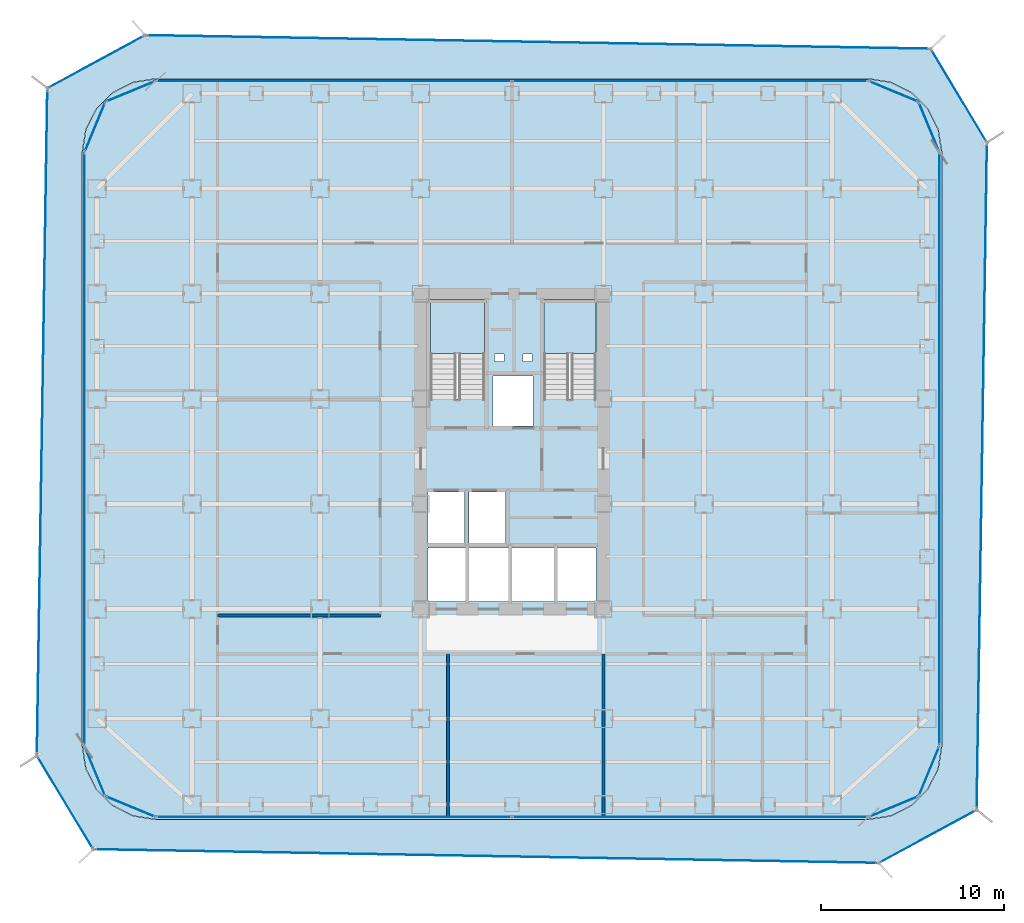
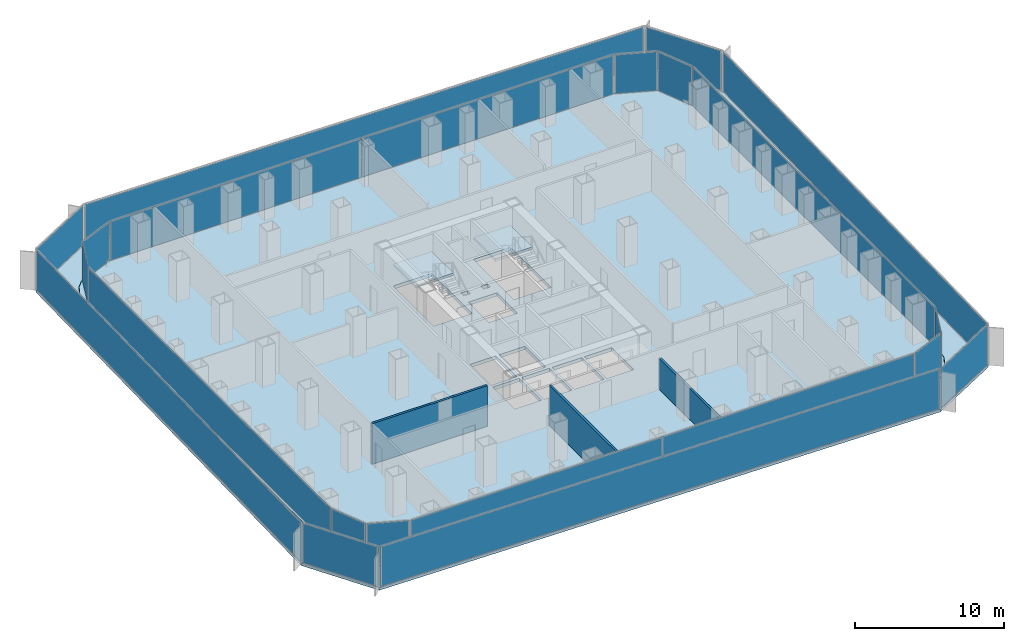
# One storey, part 16 of 21: 22 plates, 4 slabs, 3 walls, 22 elements without a shape of their own.
"""IFC4 building model written with IfcOpenShell, lengths in metres."""

from ifc_helpers import new_model, si_unit, direction, frame, frame_2d, origin, origin_2d, place, context, subcontext, project, spatial, polyline, rectangle, outline, extrude, source, transform, mapped, material, layer, layer_set, type_object, element, aggregate, save


model = new_model("IFC4")

# Units and contexts
model_context = context("Model", 3, precision=1e-05, world=origin(), true_north=direction((0.0, 1.0)))
body_context = subcontext(model_context, "Body", "Model", "MODEL_VIEW")
ifc_project = project(units=[si_unit("LENGTHUNIT", "METRE"), si_unit("AREAUNIT", "SQUARE_METRE"), si_unit("VOLUMEUNIT", "CUBIC_METRE"), si_unit("PLANEANGLEUNIT", "RADIAN"), si_unit("MASSUNIT", "GRAM", prefix="KILO")], contexts=[model_context])

# Site, building, storey
site_placement = place(None, origin())
site = spatial("IfcSite", under=ifc_project, at=site_placement, CompositionType="ELEMENT")
building_placement = place(site_placement, origin())
building = spatial("IfcBuilding", under=site, at=building_placement, Name="Kolveth Station Tower", CompositionType="ELEMENT")
storey_placement = place(building_placement, frame((0.0, 0.0, 36.89990234375)))
storey = spatial("IfcBuildingStorey", under=building, at=storey_placement, Name="L09", CompositionType="ELEMENT", Elevation=36.89990234375)

# Slab
ifc_material_1 = material(Name="Concrete C45/55", Category="concrete")
ifc_layer_1 = layer(ifc_material_1, 0.280029296875)
ifc_layer_set_1 = layer_set([ifc_layer_1], Name="Concrete C45/55")
slab_type_1 = type_object("IfcSlabType", Name="Slab_SF-280", PredefinedType="FLOOR", material=ifc_layer_set_1)
slab_1_placement = place(storey_placement, frame((0.0, 0.0, -0.27978515625)))
element("IfcSlab", 1, at=slab_1_placement, inside=storey, type_object=slab_type_1, Name="L09 Tower Structural Floor Slab", PredefinedType="FLOOR", context=body_context, shape_type="SweptSolid", body=[
    extrude(outline(polyline([(43.0, 0.0), (44.236083984375, 0.19580078125), (45.35107421875, 0.763916015625), (46.236083984375, 1.64892578125), (46.80419921875, 2.763916015625), (47.0, 4.0), (47.0, 36.5), (46.80419921875, 37.736083984375), (46.236083984375, 38.85107421875), (45.35107421875, 39.736083984375), (44.236083984375, 40.30419921875), (43.0, 40.5), (4.0, 40.5), (2.763916015625, 40.30419921875), (1.64892578125, 39.736083984375), (0.763916015625, 38.85107421875), (0.19580078125, 37.736083984375), (0.0, 36.5), (0.0, 4.0), (0.19580078125, 2.763916015625), (0.763916015625, 1.64892578125), (1.64892578125, 0.763916015625), (2.763916015625, 0.19580078125), (4.0, 0.0), (43.0, 0.0)]), holes=[polyline([(19.0400390625, 22.985107421875), (22.0, 22.985107421875), (22.0, 28.39990234375), (19.0400390625, 28.39990234375), (19.0400390625, 22.985107421875)]), polyline([(25.239990234375, 22.985107421875), (28.10009765625, 22.985107421875), (28.10009765625, 28.39990234375), (25.239990234375, 28.39990234375), (25.239990234375, 22.985107421875)]), polyline([(18.89990234375, 15.10009765625), (20.89990234375, 15.10009765625), (20.89990234375, 17.89990234375), (18.89990234375, 17.89990234375), (18.89990234375, 15.10009765625)]), polyline([(21.14990234375, 15.10009765625), (23.14990234375, 15.10009765625), (23.14990234375, 17.89990234375), (21.14990234375, 17.89990234375), (21.14990234375, 15.10009765625)]), polyline([(22.449951171875, 21.5), (24.64990234375, 21.5), (24.64990234375, 24.25), (22.449951171875, 24.25), (22.449951171875, 21.5)]), polyline([(18.89990234375, 11.89990234375), (20.949951171875, 11.89990234375), (20.949951171875, 14.85009765625), (18.89990234375, 14.85009765625), (18.89990234375, 11.89990234375)]), polyline([(21.14990234375, 11.89990234375), (23.300048828125, 11.89990234375), (23.300048828125, 14.85009765625), (21.14990234375, 14.85009765625), (21.14990234375, 11.89990234375)]), polyline([(23.5, 11.89990234375), (25.800048828125, 11.89990234375), (25.800048828125, 14.85009765625), (23.5, 14.85009765625), (23.5, 11.89990234375)]), polyline([(26.0, 11.89990234375), (28.10009765625, 11.89990234375), (28.10009765625, 14.85009765625), (26.0, 14.85009765625), (26.0, 11.89990234375)]), polyline([(22.550048828125, 25.050048828125), (23.050048828125, 25.050048828125), (23.050048828125, 25.449951171875), (22.550048828125, 25.449951171875), (22.550048828125, 25.050048828125)]), polyline([(24.10009765625, 25.050048828125), (24.60009765625, 25.050048828125), (24.60009765625, 25.449951171875), (24.10009765625, 25.449951171875), (24.10009765625, 25.050048828125)])]), origin(), (0.0, 0.0, 1.0), 0.27978515625),
])

# Stair, slab
ifc_material_2 = material(Name="Concrete C40/50", Category="concrete")
stair_type_1 = type_object("IfcStairType", Name="Stair_ST2", PredefinedType="HALF_TURN_STAIR", material=ifc_material_2)
stair_1_placement = place(storey_placement, origin())
stair_1 = element("IfcStair", 2, at=stair_1_placement, inside=storey, type_object=stair_type_1, Name="L09 Tower Exit Stair ST2", PredefinedType="HALF_TURN_STAIR")
ifc_layer_2 = layer(ifc_material_2, 0.18994140625)
ifc_layer_set_2 = layer_set([ifc_layer_2], Name="Concrete C40/50")
slab_type_2 = type_object("IfcSlabType", Name="Slab_SL-190", PredefinedType="LANDING", material=ifc_layer_set_2)
slab_2_placement = place(storey_placement, frame((0.0, 0.0, 1.60009765625)))
slab_2 = element("IfcSlab", 3, at=slab_2_placement, type_object=slab_type_2, Name="ST2 landing 1", PredefinedType="LANDING", context=body_context, shape_type="SweptSolid", body=[
    extrude(outline(polyline([(28.10009765625, 25.469970703125), (28.10009765625, 28.39990234375), (25.239990234375, 28.39990234375), (25.239990234375, 25.469970703125), (28.10009765625, 25.469970703125)])), origin(), (0.0, 0.0, 1.0), 0.199951171875),
])
aggregate(stair_1, [slab_2])

stair_type_2 = type_object("IfcStairType", Name="Stair_ST1", PredefinedType="HALF_TURN_STAIR", material=ifc_material_2)
stair_2_placement = place(storey_placement, origin())
stair_2 = element("IfcStair", 4, at=stair_2_placement, inside=storey, type_object=stair_type_2, Name="L09 Tower Exit Stair ST1", PredefinedType="HALF_TURN_STAIR")
ifc_layer_3 = layer(ifc_material_2, 0.205078125)
ifc_layer_set_3 = layer_set([ifc_layer_3], Name="Concrete C40/50")
slab_type_3 = type_object("IfcSlabType", Name="Slab_SL-205", PredefinedType="LANDING", material=ifc_layer_set_3)
slab_3_placement = place(storey_placement, frame((0.0, 0.0, 1.60009765625)))
slab_3 = element("IfcSlab", 5, at=slab_3_placement, type_object=slab_type_3, Name="ST1 landing 1", PredefinedType="LANDING", context=body_context, shape_type="SweptSolid", body=[
    extrude(outline(polyline([(22.0, 25.469970703125), (22.0, 28.39990234375), (19.0400390625, 28.39990234375), (19.0400390625, 25.469970703125), (22.0, 25.469970703125)])), origin(), (0.0, 0.0, 1.0), 0.199951171875),
])
aggregate(stair_2, [slab_3])

# Slab
ifc_layer_4 = layer(ifc_material_2, 0.2099609375)
ifc_layer_set_4 = layer_set([ifc_layer_4], Name="Concrete C40/50")
slab_type_4 = type_object("IfcSlabType", Name="Slab_ST-210", PredefinedType="FLOOR", material=ifc_layer_set_4)
slab_4_placement = place(storey_placement, frame((0.0, 0.0, -0.2099609375)))
element("IfcSlab", 6, at=slab_4_placement, inside=storey, type_object=slab_type_4, Name="L09 Double-Skin Cavity Structural Ledger Ring", PredefinedType="FLOOR", context=body_context, shape_type="SweptSolid", body=[
    extrude(outline(polyline([(0.59619140625, -1.64306640625), (-2.48828125, 3.478271484375), (-1.915283203125, 39.986083984375), (3.431396484375, 42.887939453125), (46.40576171875, 42.146484375), (49.483642578125, 37.021240234375), (48.921630859375, 0.51025390625), (43.56884765625, -2.39013671875), (0.59619140625, -1.64306640625)]), holes=[polyline([(43.002197265625, -0.014892578125), (44.23828125, 0.180908203125), (44.242919921875, 0.182373046875), (45.35791015625, 0.75048828125), (45.36181640625, 0.75341796875), (46.24658203125, 1.63818359375), (46.24951171875, 1.64208984375), (46.817626953125, 2.757080078125), (46.819091796875, 2.76171875), (47.014892578125, 3.997802734375), (47.014892578125, 4.0), (47.014892578125, 36.5), (47.014892578125, 36.502197265625), (46.819091796875, 37.73828125), (46.817626953125, 37.742919921875), (46.24951171875, 38.85791015625), (46.24658203125, 38.86181640625), (45.36181640625, 39.74658203125), (45.35791015625, 39.74951171875), (44.242919921875, 40.317626953125), (44.23828125, 40.319091796875), (43.002197265625, 40.514892578125), (43.0, 40.514892578125), (4.0, 40.514892578125), (3.997802734375, 40.514892578125), (2.76171875, 40.319091796875), (2.757080078125, 40.317626953125), (1.64208984375, 39.74951171875), (1.63818359375, 39.74658203125), (0.75341796875, 38.86181640625), (0.75048828125, 38.85791015625), (0.182373046875, 37.742919921875), (0.180908203125, 37.73828125), (-0.014892578125, 36.502197265625), (-0.014892578125, 36.5), (-0.014892578125, 4.0), (-0.014892578125, 3.997802734375), (0.180908203125, 2.76171875), (0.182373046875, 2.757080078125), (0.75048828125, 1.64208984375), (0.75341796875, 1.63818359375), (1.63818359375, 0.75341796875), (1.64208984375, 0.75048828125), (2.757080078125, 0.182373046875), (2.76171875, 0.180908203125), (3.997802734375, -0.014892578125), (4.0, -0.014892578125), (43.0, -0.014892578125), (43.002197265625, -0.014892578125)])]), origin(), (0.0, 0.0, 1.0), 0.2099609375),
])

# Curtain wall, plate
ifc_material_3 = material(Name="Aluminium 6063-T6 and low-E dark glass", Category="aluminium")
ifc_layer_5 = layer(ifc_material_3, 0.179931640625)
ifc_layer_set_5 = layer_set([ifc_layer_5], Name="Aluminium 6063-T6 and low-E dark glass")
curtain_wall_type_1 = type_object("IfcCurtainWallType", Name="CurtainWall_CW-Z1", PredefinedType="NOTDEFINED", material=ifc_layer_set_5)
curtain_wall_1_placement = place(storey_placement, origin())
curtain_wall_1 = element("IfcCurtainWall", 7, at=curtain_wall_1_placement, inside=storey, type_object=curtain_wall_type_1, Name="L09 Inner Thermal Curtain Wall 1", PredefinedType="NOTDEFINED")
ifc_material_4 = material(Name="Architectural low-E dark glass", Category="glass")
ifc_layer_6 = layer(ifc_material_4, 0.035888671875)
ifc_layer_set_6 = layer_set([ifc_layer_6], Name="Architectural low-E dark glass")
plate_type_1 = type_object("IfcPlateType", Name="Panel_GL1", PredefinedType="CURTAIN_PANEL", material=ifc_layer_set_6)
shared_shape_1 = source(origin(), body_context, "Body", "SweptSolid", [
    extrude(rectangle(XDim=2.83349609375, YDim=0.035888671875, at=origin_2d()), origin(), (0.0, 0.0, 1.0), 3.18408203125),
])
plate_1_placement = place(storey_placement, frame((44.371826171875, 0.688232421875, 0.068115234375), z_axis=(0.0, 0.0, 1.0), x_axis=(0.923883857728, 0.382672990201, 0.0)))
plate_1 = element("IfcPlate", 8, at=plate_1_placement, type_object=plate_type_1, Name="CW-Z1 panel 1.1", PredefinedType="CURTAIN_PANEL", context=body_context, shape_type="MappedRepresentation", body=[
    mapped(shared_shape_1, transform((0.0, 0.0, 0.0), x_axis=(1.0, 0.0, 0.0), y_axis=(0.0, 1.0, 0.0), z_axis=(0.0, 0.0, 1.0), scale=1.0)),
])
aggregate(curtain_wall_1, [plate_1])

curtain_wall_2_placement = place(storey_placement, origin())
curtain_wall_2 = element("IfcCurtainWall", 9, at=curtain_wall_2_placement, inside=storey, type_object=curtain_wall_type_1, Name="L09 Inner Thermal Curtain Wall 2", PredefinedType="NOTDEFINED")
plate_2_placement = place(storey_placement, frame((46.311767578125, 2.628173828125, 0.068115234375), z_axis=(0.0, 0.0, 1.0), x_axis=(0.382672990201, 0.923883857728, 0.0)))
plate_2 = element("IfcPlate", 10, at=plate_2_placement, type_object=plate_type_1, Name="CW-Z1 panel 1.1", PredefinedType="CURTAIN_PANEL", context=body_context, shape_type="MappedRepresentation", body=[
    mapped(shared_shape_1, transform((0.0, 0.0, 0.0), x_axis=(1.0, 0.0, 0.0), y_axis=(0.0, 1.0, 0.0), z_axis=(0.0, 0.0, 1.0), scale=1.0)),
])
aggregate(curtain_wall_2, [plate_2])

curtain_wall_3_placement = place(storey_placement, origin())
curtain_wall_3 = element("IfcCurtainWall", 11, at=curtain_wall_3_placement, inside=storey, type_object=curtain_wall_type_1, Name="L09 Inner Thermal Curtain Wall 4", PredefinedType="NOTDEFINED")
plate_3_placement = place(storey_placement, frame((46.311767578125, 37.871826171875, 0.068115234375), z_axis=(0.0, 0.0, 1.0), x_axis=(-0.382672990201, 0.923883857728, 0.0)))
plate_3 = element("IfcPlate", 12, at=plate_3_placement, type_object=plate_type_1, Name="CW-Z1 panel 1.1", PredefinedType="CURTAIN_PANEL", context=body_context, shape_type="MappedRepresentation", body=[
    mapped(shared_shape_1, transform((0.0, 0.0, 0.0), x_axis=(1.0, 0.0, 0.0), y_axis=(0.0, 1.0, 0.0), z_axis=(0.0, 0.0, 1.0), scale=1.0)),
])
aggregate(curtain_wall_3, [plate_3])

curtain_wall_4_placement = place(storey_placement, origin())
curtain_wall_4 = element("IfcCurtainWall", 13, at=curtain_wall_4_placement, inside=storey, type_object=curtain_wall_type_1, Name="L09 Inner Thermal Curtain Wall 5", PredefinedType="NOTDEFINED")
plate_4_placement = place(storey_placement, frame((44.371826171875, 39.811767578125, 0.068115234375), z_axis=(0.0, 0.0, 1.0), x_axis=(-0.923883857728, 0.382672990201, 0.0)))
plate_4 = element("IfcPlate", 14, at=plate_4_placement, type_object=plate_type_1, Name="CW-Z1 panel 1.1", PredefinedType="CURTAIN_PANEL", context=body_context, shape_type="MappedRepresentation", body=[
    mapped(shared_shape_1, transform((0.0, 0.0, 0.0), x_axis=(1.0, 0.0, 0.0), y_axis=(0.0, 1.0, 0.0), z_axis=(0.0, 0.0, 1.0), scale=1.0)),
])
aggregate(curtain_wall_4, [plate_4])

curtain_wall_5_placement = place(storey_placement, origin())
curtain_wall_5 = element("IfcCurtainWall", 15, at=curtain_wall_5_placement, inside=storey, type_object=curtain_wall_type_1, Name="L09 Inner Thermal Curtain Wall 7", PredefinedType="NOTDEFINED")
plate_5_placement = place(storey_placement, frame((2.628173828125, 39.811767578125, 0.068115234375), z_axis=(0.0, 0.0, 1.0), x_axis=(-0.923883857728, -0.382672990201, 0.0)))
plate_5 = element("IfcPlate", 16, at=plate_5_placement, type_object=plate_type_1, Name="CW-Z1 panel 1.1", PredefinedType="CURTAIN_PANEL", context=body_context, shape_type="MappedRepresentation", body=[
    mapped(shared_shape_1, transform((0.0, 0.0, 0.0), x_axis=(1.0, 0.0, 0.0), y_axis=(0.0, 1.0, 0.0), z_axis=(0.0, 0.0, 1.0), scale=1.0)),
])
aggregate(curtain_wall_5, [plate_5])

curtain_wall_6_placement = place(storey_placement, origin())
curtain_wall_6 = element("IfcCurtainWall", 17, at=curtain_wall_6_placement, inside=storey, type_object=curtain_wall_type_1, Name="L09 Inner Thermal Curtain Wall 8", PredefinedType="NOTDEFINED")
plate_6_placement = place(storey_placement, frame((0.688232421875, 37.871826171875, 0.068115234375), z_axis=(0.0, 0.0, 1.0), x_axis=(-0.382672990201, -0.923883857728, 0.0)))
plate_6 = element("IfcPlate", 18, at=plate_6_placement, type_object=plate_type_1, Name="CW-Z1 panel 1.1", PredefinedType="CURTAIN_PANEL", context=body_context, shape_type="MappedRepresentation", body=[
    mapped(shared_shape_1, transform((0.0, 0.0, 0.0), x_axis=(1.0, 0.0, 0.0), y_axis=(0.0, 1.0, 0.0), z_axis=(0.0, 0.0, 1.0), scale=1.0)),
])
aggregate(curtain_wall_6, [plate_6])

curtain_wall_7_placement = place(storey_placement, origin())
curtain_wall_7 = element("IfcCurtainWall", 19, at=curtain_wall_7_placement, inside=storey, type_object=curtain_wall_type_1, Name="L09 Inner Thermal Curtain Wall 10", PredefinedType="NOTDEFINED")
plate_7_placement = place(storey_placement, frame((0.688232421875, 2.628173828125, 0.068115234375), z_axis=(0.0, 0.0, 1.0), x_axis=(0.382672990201, -0.923883857728, 0.0)))
plate_7 = element("IfcPlate", 20, at=plate_7_placement, type_object=plate_type_1, Name="CW-Z1 panel 1.1", PredefinedType="CURTAIN_PANEL", context=body_context, shape_type="MappedRepresentation", body=[
    mapped(shared_shape_1, transform((0.0, 0.0, 0.0), x_axis=(1.0, 0.0, 0.0), y_axis=(0.0, 1.0, 0.0), z_axis=(0.0, 0.0, 1.0), scale=1.0)),
])
aggregate(curtain_wall_7, [plate_7])

curtain_wall_8_placement = place(storey_placement, origin())
curtain_wall_8 = element("IfcCurtainWall", 21, at=curtain_wall_8_placement, inside=storey, type_object=curtain_wall_type_1, Name="L09 Inner Thermal Curtain Wall 11", PredefinedType="NOTDEFINED")
plate_8_placement = place(storey_placement, frame((2.628173828125, 0.688232421875, 0.068115234375), z_axis=(0.0, 0.0, 1.0), x_axis=(0.923883857728, -0.382672990201, 0.0)))
plate_8 = element("IfcPlate", 22, at=plate_8_placement, type_object=plate_type_1, Name="CW-Z1 panel 1.1", PredefinedType="CURTAIN_PANEL", context=body_context, shape_type="MappedRepresentation", body=[
    mapped(shared_shape_1, transform((0.0, 0.0, 0.0), x_axis=(1.0, 0.0, 0.0), y_axis=(0.0, 1.0, 0.0), z_axis=(0.0, 0.0, 1.0), scale=1.0)),
])
aggregate(curtain_wall_8, [plate_8])

curtain_wall_9_placement = place(storey_placement, origin())
curtain_wall_9 = element("IfcCurtainWall", 23, at=curtain_wall_9_placement, inside=storey, type_object=curtain_wall_type_1, Name="L09 Inner Thermal Curtain Wall 3", PredefinedType="NOTDEFINED")
shared_shape_2 = source(origin(), body_context, "Body", "SweptSolid", [
    extrude(rectangle(XDim=32.364013671875, YDim=0.035888671875, at=origin_2d()), origin(), (0.0, 0.0, 1.0), 3.18408203125),
])
plate_9_placement = place(storey_placement, frame((46.8798828125, 20.25, 0.068115234375), z_axis=(0.0, 0.0, 1.0), x_axis=(0.0, 1.0, 0.0)))
plate_9 = element("IfcPlate", 24, at=plate_9_placement, type_object=plate_type_1, Name="CW-Z1 panel 1.1", PredefinedType="CURTAIN_PANEL", context=body_context, shape_type="MappedRepresentation", body=[
    mapped(shared_shape_2, transform((0.0, 0.0, 0.0), x_axis=(1.0, 0.0, 0.0), y_axis=(0.0, 1.0, 0.0), z_axis=(0.0, 0.0, 1.0), scale=1.0)),
])
aggregate(curtain_wall_9, [plate_9])

curtain_wall_10_placement = place(storey_placement, origin())
curtain_wall_10 = element("IfcCurtainWall", 25, at=curtain_wall_10_placement, inside=storey, type_object=curtain_wall_type_1, Name="L09 Inner Thermal Curtain Wall 9", PredefinedType="NOTDEFINED")
plate_10_placement = place(storey_placement, frame((0.1201171875, 20.25, 0.068115234375), z_axis=(0.0, 0.0, 1.0), x_axis=(0.0, -1.0, 0.0)))
plate_10 = element("IfcPlate", 26, at=plate_10_placement, type_object=plate_type_1, Name="CW-Z1 panel 1.1", PredefinedType="CURTAIN_PANEL", context=body_context, shape_type="MappedRepresentation", body=[
    mapped(shared_shape_2, transform((0.0, 0.0, 0.0), x_axis=(1.0, 0.0, 0.0), y_axis=(0.0, 1.0, 0.0), z_axis=(0.0, 0.0, 1.0), scale=1.0)),
])
aggregate(curtain_wall_10, [plate_10])

# Curtain wall, plates
curtain_wall_11_placement = place(storey_placement, origin())
curtain_wall_11 = element("IfcCurtainWall", 27, at=curtain_wall_11_placement, inside=storey, type_object=curtain_wall_type_1, Name="L09 Inner Thermal Curtain Wall 6", PredefinedType="NOTDEFINED")
shared_shape_3 = source(origin(), body_context, "Body", "SweptSolid", [
    extrude(rectangle(XDim=19.401611328125, YDim=0.035888671875, at=origin_2d()), origin(), (0.0, 0.0, 1.0), 3.18408203125),
])
plate_11_placement = place(storey_placement, frame((33.231201171875, 40.3798828125, 0.068115234375), z_axis=(0.0, 0.0, 1.0), x_axis=(-1.0, 0.0, 0.0)))
plate_11 = element("IfcPlate", 28, at=plate_11_placement, type_object=plate_type_1, Name="CW-Z1 panel 1.1", PredefinedType="CURTAIN_PANEL", context=body_context, shape_type="MappedRepresentation", body=[
    mapped(shared_shape_3, transform((0.0, 0.0, 0.0), x_axis=(1.0, 0.0, 0.0), y_axis=(0.0, 1.0, 0.0), z_axis=(0.0, 0.0, 1.0), scale=1.0)),
])
plate_12_placement = place(storey_placement, frame((13.768798828125, 40.3798828125, 0.068115234375), z_axis=(0.0, 0.0, 1.0), x_axis=(-1.0, 0.0, 0.0)))
plate_12 = element("IfcPlate", 29, at=plate_12_placement, type_object=plate_type_1, Name="CW-Z1 panel 2.1", PredefinedType="CURTAIN_PANEL", context=body_context, shape_type="MappedRepresentation", body=[
    mapped(shared_shape_3, transform((0.0, 0.0, 0.0), x_axis=(1.0, 0.0, 0.0), y_axis=(0.0, 1.0, 0.0), z_axis=(0.0, 0.0, 1.0), scale=1.0)),
])
aggregate(curtain_wall_11, [plate_11, plate_12])

curtain_wall_12_placement = place(storey_placement, origin())
curtain_wall_12 = element("IfcCurtainWall", 30, at=curtain_wall_12_placement, inside=storey, type_object=curtain_wall_type_1, Name="L09 Inner Thermal Curtain Wall 12", PredefinedType="NOTDEFINED")
plate_13_placement = place(storey_placement, frame((13.768798828125, 0.1201171875, 0.068115234375), z_axis=(0.0, 0.0, 1.0), x_axis=(1.0, 0.0, 0.0)))
plate_13 = element("IfcPlate", 31, at=plate_13_placement, type_object=plate_type_1, Name="CW-Z1 panel 1.1", PredefinedType="CURTAIN_PANEL", context=body_context, shape_type="MappedRepresentation", body=[
    mapped(shared_shape_3, transform((0.0, 0.0, 0.0), x_axis=(1.0, 0.0, 0.0), y_axis=(0.0, 1.0, 0.0), z_axis=(0.0, 0.0, 1.0), scale=1.0)),
])
plate_14_placement = place(storey_placement, frame((33.231201171875, 0.1201171875, 0.068115234375), z_axis=(0.0, 0.0, 1.0), x_axis=(1.0, 0.0, 0.0)))
plate_14 = element("IfcPlate", 32, at=plate_14_placement, type_object=plate_type_1, Name="CW-Z1 panel 2.1", PredefinedType="CURTAIN_PANEL", context=body_context, shape_type="MappedRepresentation", body=[
    mapped(shared_shape_3, transform((0.0, 0.0, 0.0), x_axis=(1.0, 0.0, 0.0), y_axis=(0.0, 1.0, 0.0), z_axis=(0.0, 0.0, 1.0), scale=1.0)),
])
aggregate(curtain_wall_12, [plate_13, plate_14])

# Curtain wall, plate
ifc_material_5 = material(Name="Black anodized aluminium 6063-T6 and dark solar glass", Category="aluminium")
ifc_layer_7 = layer(ifc_material_5, 0.159912109375)
ifc_layer_set_7 = layer_set([ifc_layer_7], Name="Black anodized aluminium 6063-T6 and dark solar glass")
curtain_wall_type_2 = type_object("IfcCurtainWallType", Name="OUTER SKIN CW-OS", PredefinedType="NOTDEFINED", material=ifc_layer_set_7)
curtain_wall_13_placement = place(storey_placement, origin())
curtain_wall_13 = element("IfcCurtainWall", 33, at=curtain_wall_13_placement, inside=storey, type_object=curtain_wall_type_2, Name="L09 Outer Ventilated Skin Curtain Wall 1", PredefinedType="NOTDEFINED")
ifc_layer_8 = layer(ifc_material_4, 0.028076171875)
ifc_layer_set_8 = layer_set([ifc_layer_8], Name="Architectural low-E dark glass")
plate_type_2 = type_object("IfcPlateType", Name="Panel_GL-OS", PredefinedType="CURTAIN_PANEL", material=ifc_layer_set_8)
shared_shape_4 = source(origin(), body_context, "Body", "SweptSolid", [
    extrude(rectangle(XDim=5.922119140625, YDim=0.028076171875, at=origin_2d()), origin(), (0.0, 0.0, 1.0), 3.243896484375),
])
plate_15_placement = place(storey_placement, frame((46.245361328125, -0.93994140625, 0.0732421875), z_axis=(0.0, 0.0, 1.0), x_axis=(0.879222310053, 0.476411722678, 0.0)))
plate_15 = element("IfcPlate", 34, at=plate_15_placement, type_object=plate_type_2, Name="CW-OS panel 1.1", PredefinedType="CURTAIN_PANEL", context=body_context, shape_type="MappedRepresentation", body=[
    mapped(shared_shape_4, transform((0.0, 0.0, 0.0), x_axis=(1.0, 0.0, 0.0), y_axis=(0.0, 1.0, 0.0), z_axis=(0.0, 0.0, 1.0), scale=1.0)),
])
aggregate(curtain_wall_13, [plate_15])

curtain_wall_14_placement = place(storey_placement, origin())
curtain_wall_14 = element("IfcCurtainWall", 35, at=curtain_wall_14_placement, inside=storey, type_object=curtain_wall_type_2, Name="L09 Outer Ventilated Skin Curtain Wall 2", PredefinedType="NOTDEFINED")
shared_shape_5 = source(origin(), body_context, "Body", "SweptSolid", [
    extrude(rectangle(XDim=36.34912109375, YDim=0.028076171875, at=origin_2d()), origin(), (0.0, 0.0, 1.0), 3.243896484375),
])
plate_16_placement = place(storey_placement, frame((49.20263671875, 18.765869140625, 0.0732421875), z_axis=(0.0, 0.0, 1.0), x_axis=(0.015390840363, 0.999881554002, 0.0)))
plate_16 = element("IfcPlate", 36, at=plate_16_placement, type_object=plate_type_2, Name="CW-OS panel 1.1", PredefinedType="CURTAIN_PANEL", context=body_context, shape_type="MappedRepresentation", body=[
    mapped(shared_shape_5, transform((0.0, 0.0, 0.0), x_axis=(1.0, 0.0, 0.0), y_axis=(0.0, 1.0, 0.0), z_axis=(0.0, 0.0, 1.0), scale=1.0)),
])
aggregate(curtain_wall_14, [plate_16])

curtain_wall_15_placement = place(storey_placement, origin())
curtain_wall_15 = element("IfcCurtainWall", 37, at=curtain_wall_15_placement, inside=storey, type_object=curtain_wall_type_2, Name="L09 Outer Ventilated Skin Curtain Wall 3", PredefinedType="NOTDEFINED")
shared_shape_6 = source(origin(), body_context, "Body", "SweptSolid", [
    extrude(rectangle(XDim=5.8125, YDim=0.028076171875, at=origin_2d()), origin(), (0.0, 0.0, 1.0), 3.243896484375),
])
plate_17_placement = place(storey_placement, frame((47.94482421875, 39.583984375, 0.0732421875), z_axis=(0.0, 0.0, 1.0), x_axis=(-0.514822867332, 0.857296573697, 0.0)))
plate_17 = element("IfcPlate", 38, at=plate_17_placement, type_object=plate_type_2, Name="CW-OS panel 1.1", PredefinedType="CURTAIN_PANEL", context=body_context, shape_type="MappedRepresentation", body=[
    mapped(shared_shape_6, transform((0.0, 0.0, 0.0), x_axis=(1.0, 0.0, 0.0), y_axis=(0.0, 1.0, 0.0), z_axis=(0.0, 0.0, 1.0), scale=1.0)),
])
aggregate(curtain_wall_15, [plate_17])

curtain_wall_16_placement = place(storey_placement, origin())
curtain_wall_16 = element("IfcCurtainWall", 39, at=curtain_wall_16_placement, inside=storey, type_object=curtain_wall_type_2, Name="L09 Outer Ventilated Skin Curtain Wall 4", PredefinedType="NOTDEFINED")
shared_shape_7 = source(origin(), body_context, "Body", "SweptSolid", [
    extrude(rectangle(XDim=42.814697265625, YDim=0.028076171875, at=origin_2d()), origin(), (0.0, 0.0, 1.0), 3.243896484375),
])
plate_18_placement = place(storey_placement, frame((24.918701171875, 42.517333984375, 0.0732421875), z_axis=(0.0, 0.0, 1.0), x_axis=(-0.999851215191, 0.017249564653, 0.0)))
plate_18 = element("IfcPlate", 40, at=plate_18_placement, type_object=plate_type_2, Name="CW-OS panel 1.1", PredefinedType="CURTAIN_PANEL", context=body_context, shape_type="MappedRepresentation", body=[
    mapped(shared_shape_7, transform((0.0, 0.0, 0.0), x_axis=(1.0, 0.0, 0.0), y_axis=(0.0, 1.0, 0.0), z_axis=(0.0, 0.0, 1.0), scale=1.0)),
])
aggregate(curtain_wall_16, [plate_18])

curtain_wall_17_placement = place(storey_placement, origin())
curtain_wall_17 = element("IfcCurtainWall", 41, at=curtain_wall_17_placement, inside=storey, type_object=curtain_wall_type_2, Name="L09 Outer Ventilated Skin Curtain Wall 5", PredefinedType="NOTDEFINED")
shared_shape_8 = source(origin(), body_context, "Body", "SweptSolid", [
    extrude(rectangle(XDim=5.91748046875, YDim=0.028076171875, at=origin_2d()), origin(), (0.0, 0.0, 1.0), 3.243896484375),
])
plate_19_placement = place(storey_placement, frame((0.758056640625, 41.43701171875, 0.0732421875), z_axis=(0.0, 0.0, 1.0), x_axis=(-0.878883756568, -0.477035997008, 0.0)))
plate_19 = element("IfcPlate", 42, at=plate_19_placement, type_object=plate_type_2, Name="CW-OS panel 1.1", PredefinedType="CURTAIN_PANEL", context=body_context, shape_type="MappedRepresentation", body=[
    mapped(shared_shape_8, transform((0.0, 0.0, 0.0), x_axis=(1.0, 0.0, 0.0), y_axis=(0.0, 1.0, 0.0), z_axis=(0.0, 0.0, 1.0), scale=1.0)),
])
aggregate(curtain_wall_17, [plate_19])

curtain_wall_18_placement = place(storey_placement, origin())
curtain_wall_18 = element("IfcCurtainWall", 43, at=curtain_wall_18_placement, inside=storey, type_object=curtain_wall_type_2, Name="L09 Outer Ventilated Skin Curtain Wall 6", PredefinedType="NOTDEFINED")
shared_shape_9 = source(origin(), body_context, "Body", "SweptSolid", [
    extrude(rectangle(XDim=36.34619140625, YDim=0.028076171875, at=origin_2d()), origin(), (0.0, 0.0, 1.0), 3.243896484375),
])
plate_20_placement = place(storey_placement, frame((-2.20166015625, 21.732177734375, 0.0732421875), z_axis=(0.0, 0.0, 1.0), x_axis=(-0.015693343241, -0.999876851906, 0.0)))
plate_20 = element("IfcPlate", 44, at=plate_20_placement, type_object=plate_type_2, Name="CW-OS panel 1.1", PredefinedType="CURTAIN_PANEL", context=body_context, shape_type="MappedRepresentation", body=[
    mapped(shared_shape_9, transform((0.0, 0.0, 0.0), x_axis=(1.0, 0.0, 0.0), y_axis=(0.0, 1.0, 0.0), z_axis=(0.0, 0.0, 1.0), scale=1.0)),
])
aggregate(curtain_wall_18, [plate_20])

curtain_wall_19_placement = place(storey_placement, origin())
curtain_wall_19 = element("IfcCurtainWall", 45, at=curtain_wall_19_placement, inside=storey, type_object=curtain_wall_type_2, Name="L09 Outer Ventilated Skin Curtain Wall 7", PredefinedType="NOTDEFINED")
shared_shape_10 = source(origin(), body_context, "Body", "SweptSolid", [
    extrude(rectangle(XDim=5.812255859375, YDim=0.028076171875, at=origin_2d()), origin(), (0.0, 0.0, 1.0), 3.243896484375),
])
plate_21_placement = place(storey_placement, frame((-0.946044921875, 0.91748046875, 0.0732421875), z_axis=(0.0, 0.0, 1.0), x_axis=(0.515911931308, -0.856641628182, 0.0)))
plate_21 = element("IfcPlate", 46, at=plate_21_placement, type_object=plate_type_2, Name="CW-OS panel 1.1", PredefinedType="CURTAIN_PANEL", context=body_context, shape_type="MappedRepresentation", body=[
    mapped(shared_shape_10, transform((0.0, 0.0, 0.0), x_axis=(1.0, 0.0, 0.0), y_axis=(0.0, 1.0, 0.0), z_axis=(0.0, 0.0, 1.0), scale=1.0)),
])
aggregate(curtain_wall_19, [plate_21])

curtain_wall_20_placement = place(storey_placement, origin())
curtain_wall_20 = element("IfcCurtainWall", 47, at=curtain_wall_20_placement, inside=storey, type_object=curtain_wall_type_2, Name="L09 Outer Ventilated Skin Curtain Wall 8", PredefinedType="NOTDEFINED")
shared_shape_11 = source(origin(), body_context, "Body", "SweptSolid", [
    extrude(rectangle(XDim=42.813232421875, YDim=0.028076171875, at=origin_2d()), origin(), (0.0, 0.0, 1.0), 3.243896484375),
])
plate_22_placement = place(storey_placement, frame((22.08251953125, -2.0166015625, 0.0732421875), z_axis=(0.0, 0.0, 1.0), x_axis=(0.999848907204, -0.017382829529, 0.0)))
plate_22 = element("IfcPlate", 48, at=plate_22_placement, type_object=plate_type_2, Name="CW-OS panel 1.1", PredefinedType="CURTAIN_PANEL", context=body_context, shape_type="MappedRepresentation", body=[
    mapped(shared_shape_11, transform((0.0, 0.0, 0.0), x_axis=(1.0, 0.0, 0.0), y_axis=(0.0, 1.0, 0.0), z_axis=(0.0, 0.0, 1.0), scale=1.0)),
])
aggregate(curtain_wall_20, [plate_22])

# Walls
ifc_material_6 = material(Name="Acoustic double-stud gypsum partition")
ifc_layer_9 = layer(ifc_material_6, 0.1650390625)
ifc_layer_set_9 = layer_set([ifc_layer_9], Name="Acoustic double-stud gypsum partition")
wall_type = type_object("IfcWallType", Name="Wall_IW-165", PredefinedType="PARTITIONING", material=ifc_layer_set_9)
wall_1_placement = place(storey_placement, frame((7.39990234375, 11.14990234375, 0.0), z_axis=(0.0, 0.0, 1.0), x_axis=(1.0, 0.0, 0.0)))
element("IfcWall", 49, at=wall_1_placement, inside=storey, type_object=wall_type, Name="L09 Partition Wall WL-L09-OSWT", PredefinedType="PARTITIONING", context=body_context, shape_type="SweptSolid", body=[
    extrude(rectangle(XDim=8.900146484375, YDim=0.1650390625, at=frame_2d((4.4501953125, 0.0))), origin(), (0.0, 0.0, 1.0), 3.320068359375),
])
wall_2_placement = place(storey_placement, frame((20.0, 0.159912109375, 0.0), z_axis=(0.0, 0.0, 1.0), x_axis=(0.0, 1.0, 0.0)))
element("IfcWall", 50, at=wall_2_placement, inside=storey, type_object=wall_type, Name="L09 Partition Wall WL-L09-OS-P1", PredefinedType="PARTITIONING", context=body_context, shape_type="SweptSolid", body=[
    extrude(rectangle(XDim=8.89013671875, YDim=0.1650390625, at=frame_2d((4.445068359375, 0.0))), origin(), (0.0, 0.0, 1.0), 3.320068359375),
])
wall_3_placement = place(storey_placement, frame((28.5, 0.159912109375, 0.0), z_axis=(0.0, 0.0, 1.0), x_axis=(0.0, 1.0, 0.0)))
element("IfcWall", 51, at=wall_3_placement, inside=storey, type_object=wall_type, Name="L09 Partition Wall WL-L09-OS-P2", PredefinedType="PARTITIONING", context=body_context, shape_type="SweptSolid", body=[
    extrude(rectangle(XDim=8.89013671875, YDim=0.1650390625, at=frame_2d((4.445068359375, 0.0))), origin(), (0.0, 0.0, 1.0), 2.5390625),
])

save(model, "model.ifc")
